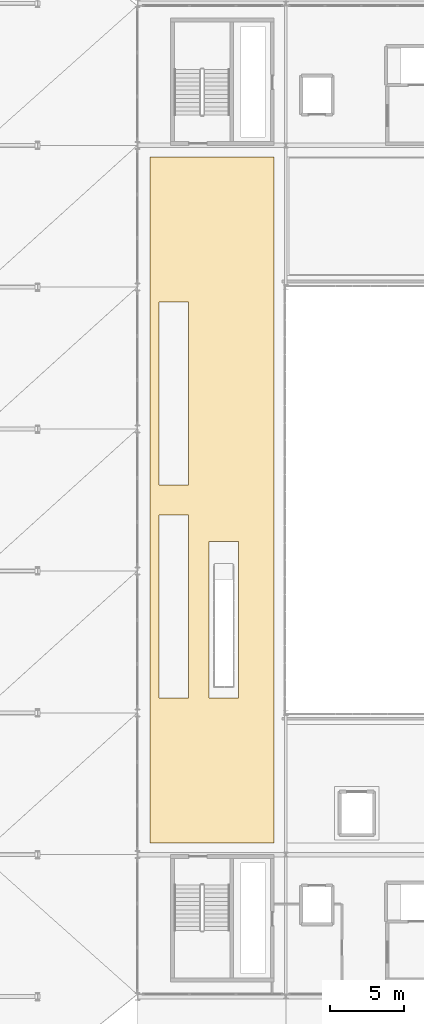
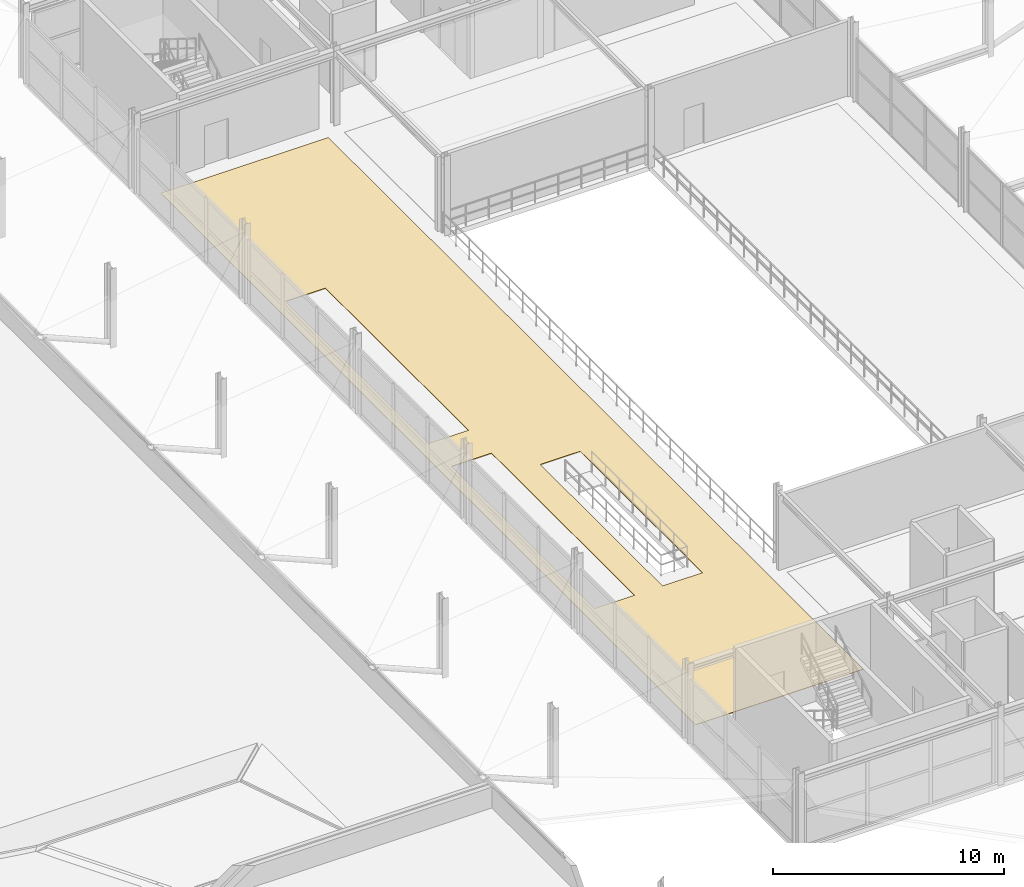
# One storey, part 67 of 81: 1 covering.
"""IFC4 building model written with IfcOpenShell, lengths in metres."""

from ifc_helpers import new_model, si_unit, direction, frame, origin, place, context, subcontext, project, spatial, polyline, outline, extrude, material, layer, layer_set, type_object, element, save


model = new_model("IFC4")

# Units and contexts
model_context = context("Model", 3, precision=1e-05, world=origin(), true_north=direction((0.0, 1.0)))
body_context = subcontext(model_context, "Body", "Model", "MODEL_VIEW")
ifc_project = project(units=[si_unit("LENGTHUNIT", "METRE"), si_unit("AREAUNIT", "SQUARE_METRE"), si_unit("VOLUMEUNIT", "CUBIC_METRE"), si_unit("PLANEANGLEUNIT", "RADIAN"), si_unit("MASSUNIT", "GRAM", prefix="KILO")], contexts=[model_context])

# Site, building, storey
site_placement = place(None, origin())
site = spatial("IfcSite", under=ifc_project, at=site_placement, CompositionType="ELEMENT")
building_placement = place(site_placement, origin())
building = spatial("IfcBuilding", under=site, at=building_placement, Name="Myrtia Square Station", CompositionType="ELEMENT")
storey_placement = place(building_placement, frame((0.0, 0.0, 10.800048828125)))
storey = spatial("IfcBuildingStorey", under=building, at=storey_placement, Name="L02", CompositionType="ELEMENT", Elevation=10.800048828125)

# Covering
ifc_material = material(Name="Terrazzo stone tile", Category="masonry")
ifc_layer = layer(ifc_material, 0.02490234375, Name="Terrazzo stone tile")
ifc_layer_set = layer_set([ifc_layer], Name="Terrazzo stone tile")
covering_type = type_object("IfcCoveringType", Name="COV-FLR-TERRAZZO", PredefinedType="FLOORING", material=ifc_layer_set)
covering_placement = place(storey_placement, origin())
element("IfcCovering", 1, at=covering_placement, inside=storey, type_object=covering_type, Name="Terrazzo concourse flooring L02-03", PredefinedType="FLOORING", context=body_context, shape_type="SweptSolid", body=[
    extrude(outline(polyline([(80.199951171875, 85.60009765625), (88.60009765625, 85.60009765625), (88.60009765625, 39.199951171875), (80.199951171875, 39.199951171875), (80.199951171875, 85.60009765625)]), holes=[polyline([(86.199951171875, 59.60009765625), (84.199951171875, 59.60009765625), (84.199951171875, 49.0), (86.199951171875, 49.0), (86.199951171875, 59.60009765625)]), polyline([(82.800048828125, 61.39990234375), (80.800048828125, 61.39990234375), (80.800048828125, 49.0), (82.800048828125, 49.0), (82.800048828125, 61.39990234375)]), polyline([(82.800048828125, 75.800048828125), (80.800048828125, 75.800048828125), (80.800048828125, 63.39990234375), (82.800048828125, 63.39990234375), (82.800048828125, 75.800048828125)])]), origin(), (0.0, 0.0, 1.0), 0.02490234375),
])

save(model, "model.ifc")
